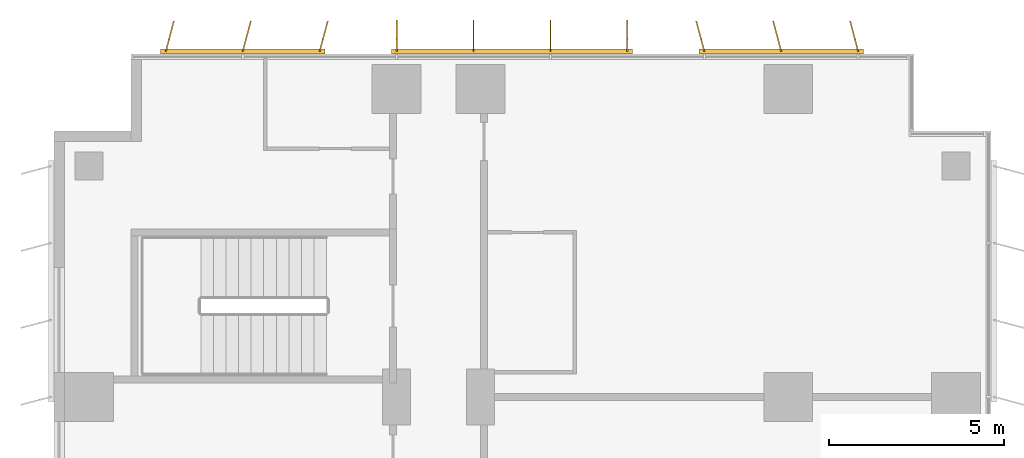
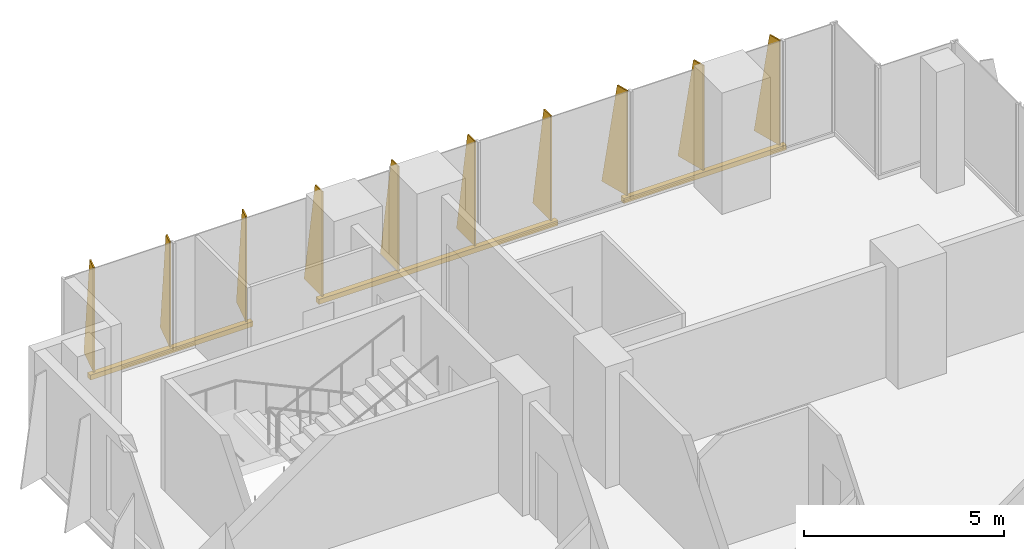
# One storey, part 24 of 24: 3 shading devices.
"""IFC4 building model written with IfcOpenShell, lengths in metres."""

from ifc_helpers import new_model, si_unit, direction, frame, origin, origin_2d, place, context, subcontext, project, spatial, polyline, rectangle, outline, extrude, source, transform, mapped, material, layer, layer_set, type_object, element, save


model = new_model("IFC4")

# Units and contexts
model_context = context("Model", 3, precision=1e-05, world=origin(), true_north=direction((0.0, 1.0)))
body_context = subcontext(model_context, "Body", "Model", "MODEL_VIEW")
ifc_project = project(units=[si_unit("LENGTHUNIT", "METRE"), si_unit("AREAUNIT", "SQUARE_METRE"), si_unit("VOLUMEUNIT", "CUBIC_METRE"), si_unit("PLANEANGLEUNIT", "RADIAN"), si_unit("MASSUNIT", "GRAM", prefix="KILO")], contexts=[model_context])

# Site, building, storey
site_placement = place(None, origin())
site = spatial("IfcSite", under=ifc_project, at=site_placement, CompositionType="ELEMENT")
building_placement = place(site_placement, origin())
building = spatial("IfcBuilding", under=site, at=building_placement, Name="Kemantara Hotel Tower", CompositionType="ELEMENT")
storey_placement = place(building_placement, frame((0.0, 0.0, 41.39990234375)))
storey = spatial("IfcBuildingStorey", under=building, at=storey_placement, Name="L08", CompositionType="ELEMENT", Elevation=41.39990234375)

# Shading devices
ifc_material = material(Name="Perforated aluminium plate 4 mm bronze anodised", Category="aluminium")
ifc_layer_1 = layer(ifc_material, 0.0400390625)
ifc_layer_set_1 = layer_set([ifc_layer_1], Name="Perforated aluminium plate 4 mm bronze anodised")
shading_device_type_1 = type_object("IfcShadingDeviceType", Name="SCREEN FIN CASSETTE, 3 BLADES AT -15.0 DEG, 3200 HIGH", PredefinedType="USERDEFINED", material=ifc_layer_set_1)
shared_shape_1 = source(origin(), body_context, "Body", "SweptSolid", [
    extrude(rectangle(XDim=4.699951171875, YDim=0.14990234375, at=origin_2d()), frame((2.199951171875, -0.074951171875, -0.14990234375), z_axis=(0.0, 0.0, 1.0), x_axis=(1.0, 0.0, 0.0)), (0.0, 0.0, 1.0), 0.14990234375),
    extrude(outline(polyline([(0.0, 0.0), (0.89990234375, 0.0), (0.35009765625, 3.199951171875), (0.0, 3.199951171875), (0.0, 0.0)])), frame((0.019287109375, -0.080078125, 0.0), z_axis=(-0.966437683387, 0.256901156343, 0.0), x_axis=(-0.256901156343, -0.966437683387, 0.0)), (0.0, 0.0, 1.0), 0.039794921875),
    extrude(outline(polyline([(0.0, 0.0), (0.89990234375, 0.0), (0.35009765625, 3.199951171875), (0.0, 3.199951171875), (0.0, 0.0)])), frame((2.21923828125, -0.080078125, 0.0), z_axis=(-0.966437683387, 0.256901156343, 0.0), x_axis=(-0.256901156343, -0.966437683387, 0.0)), (0.0, 0.0, 1.0), 0.039794921875),
    extrude(outline(polyline([(0.0, 0.0), (0.89990234375, 0.0), (0.35009765625, 3.199951171875), (0.0, 3.199951171875), (0.0, 0.0)])), frame((4.41943359375, -0.080078125, 0.0), z_axis=(-0.966837822169, 0.255391122837, 0.0), x_axis=(-0.255391122837, -0.966837822169, 0.0)), (0.0, 0.0, 1.0), 0.0400390625),
])
shading_device_1_placement = place(storey_placement, frame((7.60009765625, 81.199951171875, 0.10009765625), z_axis=(0.0, 0.0, 1.0), x_axis=(-1.0, 0.0, 0.0)))
element("IfcShadingDevice", 1, at=shading_device_1_placement, inside=storey, type_object=shading_device_type_1, Name="SCREEN FIN CASSETTE L08 T1-R11-3", ObjectType="SCREEN FIN", PredefinedType="USERDEFINED", context=body_context, shape_type="MappedRepresentation", body=[
    mapped(shared_shape_1, transform((0.0, 0.0, 0.0))),
])
ifc_layer_2 = layer(ifc_material, 0.0400390625)
ifc_layer_set_2 = layer_set([ifc_layer_2], Name="Perforated aluminium plate 4 mm bronze anodised")
shading_device_type_2 = type_object("IfcShadingDeviceType", Name="SCREEN FIN CASSETTE, 4 BLADES AT +0.0 DEG, 3200 HIGH", PredefinedType="USERDEFINED", material=ifc_layer_set_2)
shared_shape_2 = source(origin(), body_context, "Body", "SweptSolid", [
    extrude(rectangle(XDim=6.89990234375, YDim=0.14990234375, at=origin_2d()), frame((3.300048828125, -0.074951171875, -0.14990234375), z_axis=(0.0, 0.0, 1.0), x_axis=(1.0, 0.0, 0.0)), (0.0, 0.0, 1.0), 0.14990234375),
    extrude(outline(polyline([(0.0, 0.0), (0.89990234375, 0.0), (0.35009765625, 3.199951171875), (0.0, 3.199951171875), (0.0, 0.0)])), frame((0.02001953125, -0.074951171875, 0.0), z_axis=(-1.0, 0.0, 0.0), x_axis=(0.0, -1.0, 0.0)), (0.0, 0.0, 1.0), 0.0400390625),
    extrude(outline(polyline([(0.0, 0.0), (0.89990234375, 0.0), (0.35009765625, 3.199951171875), (0.0, 3.199951171875), (0.0, 0.0)])), frame((2.219970703125, -0.074951171875, 0.0), z_axis=(-1.0, 0.0, 0.0), x_axis=(0.0, -1.0, 0.0)), (0.0, 0.0, 1.0), 0.0400390625),
    extrude(outline(polyline([(0.0, 0.0), (0.89990234375, 0.0), (0.35009765625, 3.199951171875), (0.0, 3.199951171875), (0.0, 0.0)])), frame((4.419921875, -0.074951171875, 0.0), z_axis=(-1.0, 0.0, 0.0), x_axis=(0.0, -1.0, 0.0)), (0.0, 0.0, 1.0), 0.0400390625),
    extrude(outline(polyline([(0.0, 0.0), (0.89990234375, 0.0), (0.35009765625, 3.199951171875), (0.0, 3.199951171875), (0.0, 0.0)])), frame((6.6201171875, -0.074951171875, 0.0), z_axis=(-1.0, 0.0, 0.0), x_axis=(0.0, -1.0, 0.0)), (0.0, 0.0, 1.0), 0.0400390625),
])
shading_device_2_placement = place(storey_placement, frame((16.39990234375, 81.199951171875, 0.10009765625), z_axis=(0.0, 0.0, 1.0), x_axis=(-1.0, 0.0, 0.0)))
element("IfcShadingDevice", 2, at=shading_device_2_placement, inside=storey, type_object=shading_device_type_2, Name="SCREEN FIN CASSETTE L08 T1-R11-2", ObjectType="SCREEN FIN", PredefinedType="USERDEFINED", context=body_context, shape_type="MappedRepresentation", body=[
    mapped(shared_shape_2, transform((0.0, 0.0, 0.0))),
])
ifc_layer_3 = layer(ifc_material, 0.0400390625)
ifc_layer_set_3 = layer_set([ifc_layer_3], Name="Perforated aluminium plate 4 mm bronze anodised")
shading_device_type_3 = type_object("IfcShadingDeviceType", Name="SCREEN FIN CASSETTE, 3 BLADES AT +15.0 DEG, 3200 HIGH", PredefinedType="USERDEFINED", material=ifc_layer_set_3)
shared_shape_3 = source(origin(), body_context, "Body", "SweptSolid", [
    extrude(rectangle(XDim=4.699951171875, YDim=0.14990234375, at=origin_2d()), frame((2.199951171875, -0.074951171875, -0.14990234375), z_axis=(0.0, 0.0, 1.0), x_axis=(1.0, 0.0, 0.0)), (0.0, 0.0, 1.0), 0.14990234375),
    extrude(outline(polyline([(0.0, 0.0), (0.89990234375, 0.0), (0.35009765625, 3.199951171875), (0.0, 3.199951171875), (0.0, 0.0)])), frame((0.019287109375, -0.06982421875, 0.0), z_axis=(-0.966437683387, -0.256901156343, 0.0), x_axis=(0.256901156343, -0.966437683387, 0.0)), (0.0, 0.0, 1.0), 0.039794921875),
    extrude(outline(polyline([(0.0, 0.0), (0.89990234375, 0.0), (0.35009765625, 3.199951171875), (0.0, 3.199951171875), (0.0, 0.0)])), frame((2.21923828125, -0.06982421875, 0.0), z_axis=(-0.966437683387, -0.256901156343, 0.0), x_axis=(0.256901156343, -0.966437683387, 0.0)), (0.0, 0.0, 1.0), 0.039794921875),
    extrude(outline(polyline([(0.0, 0.0), (0.89990234375, 0.0), (0.35009765625, 3.199951171875), (0.0, 3.199951171875), (0.0, 0.0)])), frame((4.41943359375, -0.06982421875, 0.0), z_axis=(-0.966837822169, -0.255391122837, 0.0), x_axis=(0.255391122837, -0.966837822169, 0.0)), (0.0, 0.0, 1.0), 0.0400390625),
])
shading_device_3_placement = place(storey_placement, frame((23.0, 81.199951171875, 0.10009765625), z_axis=(0.0, 0.0, 1.0), x_axis=(-1.0, 0.0, 0.0)))
element("IfcShadingDevice", 3, at=shading_device_3_placement, inside=storey, type_object=shading_device_type_3, Name="SCREEN FIN CASSETTE L08 T1-R11-1", ObjectType="SCREEN FIN", PredefinedType="USERDEFINED", context=body_context, shape_type="MappedRepresentation", body=[
    mapped(shared_shape_3, transform((0.0, 0.0, 0.0))),
])

save(model, "model.ifc")
